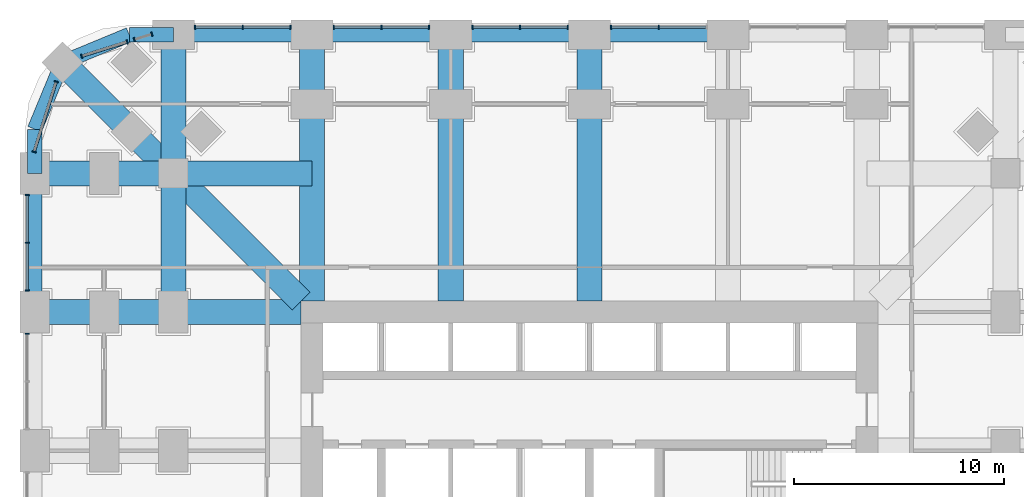
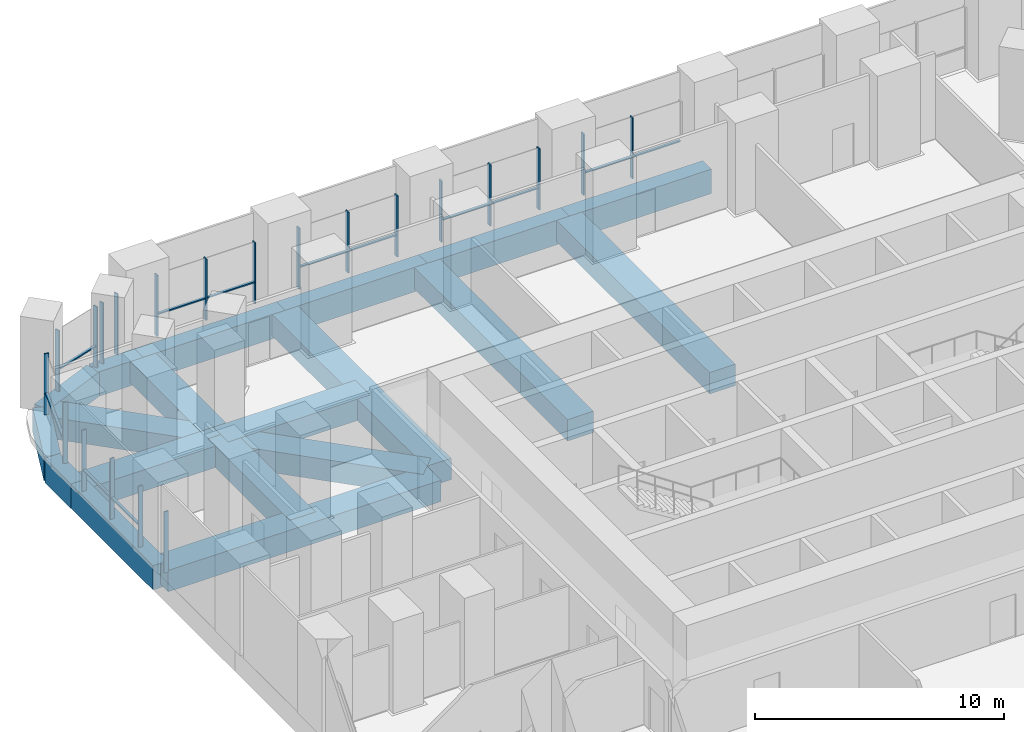
# One storey, part 5 of 17: 33 members, 19 beams, 9 elements without a shape of their own.
"""IFC4 building model written with IfcOpenShell, lengths in metres."""

from ifc_helpers import new_model, si_unit, direction, frame, origin, origin_2d, place, context, subcontext, project, spatial, rectangle, extrude, material, material_profile, profile_set, type_object, element, aggregate, save


model = new_model("IFC4")

# Units and contexts
model_context = context("Model", 3, precision=1e-05, world=origin(), true_north=direction((0.0, 1.0)))
body_context = subcontext(model_context, "Body", "Model", "MODEL_VIEW")
ifc_project = project(units=[si_unit("LENGTHUNIT", "METRE"), si_unit("AREAUNIT", "SQUARE_METRE"), si_unit("VOLUMEUNIT", "CUBIC_METRE"), si_unit("PLANEANGLEUNIT", "RADIAN"), si_unit("MASSUNIT", "GRAM", prefix="KILO")], contexts=[model_context])

# Site, building, storey
site_placement = place(None, origin())
site = spatial("IfcSite", under=ifc_project, at=site_placement, CompositionType="ELEMENT")
building_placement = place(site_placement, origin())
building = spatial("IfcBuilding", under=site, at=building_placement, Name="Cobogo Forest Laboratory Tower", CompositionType="ELEMENT")
storey_placement = place(building_placement, frame((0.0, 0.0, 12.60009765625)))
storey = spatial("IfcBuildingStorey", under=building, at=storey_placement, Name="L02", CompositionType="ELEMENT", Elevation=12.60009765625)

# Beams
ifc_material_1 = material(Name="Concrete HA-40 (C40/50)", Category="concrete")
ifc_material_profile_1 = material_profile(ifc_material_1, rectangle(XDim=1.199951171875, YDim=1.050048828125, at=origin_2d()), Name="RC 1200x1050")
ifc_profile_set_1 = profile_set([ifc_material_profile_1], Name="Concrete HA-40 (C40/50)")
beam_type_1 = type_object("IfcBeamType", Name="Laboratory floor wide beam 1200x1050", PredefinedType="BEAM", material=ifc_profile_set_1)
for number, where, z_axis, x_axis, name in (
    (1, (13.199951171875, 33.52490234375, -0.8251953125), (0.0, 1.0, 0.0), (-1.0, 0.0, 0.0), "RB1 R-3-N L02"),
    (2, (19.800048828125, 33.52490234375, -0.8251953125), (0.0, 1.0, 0.0), (-1.0, 0.0, 0.0), "RB1 R-4-N L02"),
    (3, (26.39990234375, 33.52490234375, -0.8251953125), (0.0, 1.0, 0.0), (-1.0, 0.0, 0.0), "RB1 R-5-N L02"),
    (4, (12.675048828125, 33.0, -0.8251953125), (-1.0, 0.0, 0.0), (0.0, -1.0, 0.0), "RB1 R-F-W L02"),
):
    element("IfcBeam", number, at=place(storey_placement, frame(where, z_axis=z_axis, x_axis=x_axis)), inside=storey, type_object=beam_type_1, Name=name, PredefinedType="BEAM", context=body_context, shape_type="SweptSolid", body=[
        extrude(rectangle(XDim=1.199951171875, YDim=1.050048828125, at=origin_2d()), origin(), (0.0, 0.0, 1.0), 12.675048828125),
    ])
beam_1_placement = place(storey_placement, frame((6.60009765625, 46.199951171875, -0.8251953125), z_axis=(0.0, -1.0, 0.0), x_axis=(1.0, 0.0, 0.0)))
element("IfcBeam", 5, at=beam_1_placement, inside=storey, type_object=beam_type_1, Name="RB1 G-NW-XF L02", PredefinedType="BEAM", context=body_context, shape_type="SweptSolid", body=[
    extrude(rectangle(XDim=1.199951171875, YDim=1.050048828125, at=origin_2d()), origin(), (0.0, 0.0, 1.0), 6.599853515625),
])
for number, where, z_axis, x_axis, name in (
    (6, (6.60009765625, 39.60009765625, -0.8251953125), (0.0, -1.0, 0.0), (1.0, 0.0, 0.0), "RB1 G-NW-XC L02"),
    (7, (0.0, 39.60009765625, -0.8251953125), (1.0, 0.0, 0.0), (0.0, 1.0, 0.0), "RB1 G-NW-YF L02"),
):
    element("IfcBeam", number, at=place(storey_placement, frame(where, z_axis=z_axis, x_axis=x_axis)), inside=storey, type_object=beam_type_1, Name=name, PredefinedType="BEAM", context=body_context, shape_type="SweptSolid", body=[
        extrude(rectangle(XDim=1.199951171875, YDim=1.050048828125, at=origin_2d()), origin(), (0.0, 0.0, 1.0), 6.60009765625),
    ])
beam_2_placement = place(storey_placement, frame((6.60009765625, 39.60009765625, -0.8251953125), z_axis=(1.0, 0.0, 0.0), x_axis=(0.0, 1.0, 0.0)))
element("IfcBeam", 8, at=beam_2_placement, inside=storey, type_object=beam_type_1, Name="RB1 G-NW-YC L02", PredefinedType="BEAM", context=body_context, shape_type="SweptSolid", body=[
    extrude(rectangle(XDim=1.199951171875, YDim=1.050048828125, at=origin_2d()), origin(), (0.0, 0.0, 1.0), 6.599853515625),
])
beam_3_placement = place(storey_placement, frame((1.318115234375, 44.882080078125, -0.8251953125), z_axis=(0.707106781187, -0.707106781187, 0.0), x_axis=(0.707106781187, 0.707106781187, 0.0)))
element("IfcBeam", 9, at=beam_3_placement, inside=storey, type_object=beam_type_1, Name="RB1 G-NW-D1 L02", PredefinedType="BEAM", context=body_context, shape_type="SweptSolid", body=[
    extrude(rectangle(XDim=1.199951171875, YDim=1.050048828125, at=origin_2d()), origin(), (0.0, 0.0, 1.0), 7.469970703125),
])
beam_4_placement = place(storey_placement, frame((6.60009765625, 39.60009765625, -0.8251953125), z_axis=(0.707092572697, -0.70712098939, 0.0), x_axis=(0.70712098939, 0.707092572697, 0.0)))
element("IfcBeam", 10, at=beam_4_placement, inside=storey, type_object=beam_type_1, Name="RB1 G-NW-D2 L02", PredefinedType="BEAM", context=body_context, shape_type="SweptSolid", body=[
    extrude(rectangle(XDim=1.199951171875, YDim=1.050048828125, at=origin_2d()), origin(), (0.0, 0.0, 1.0), 8.591552734375),
])

# Curtain wall, members
ifc_material_2 = material(Name="Aluminium curtain wall", Category="aluminium")
curtain_wall_type = type_object("IfcCurtainWallType", Name="CW-K stick curtain wall, podium laboratories", PredefinedType="USERDEFINED", material=ifc_material_2)
curtain_wall_1_placement = place(storey_placement, origin())
curtain_wall_1 = element("IfcCurtainWall", 11, at=curtain_wall_1_placement, inside=storey, type_object=curtain_wall_type, Name="Curtain wall 20 L02", ObjectType="STICK CURTAIN WALL", PredefinedType="USERDEFINED")
ifc_material_3 = material(Name="Aluminium mullion", Category="aluminium")
ifc_material_profile_2 = material_profile(ifc_material_3, rectangle(XDim=0.06005859375, YDim=0.199951171875, at=origin_2d()), Name="AL 60x200")
ifc_profile_set_2 = profile_set([ifc_material_profile_2], Name="Aluminium mullion")
member_type_1 = type_object("IfcMemberType", Name="MU-2 aluminium mullion 60x200", PredefinedType="MULLION", material=ifc_profile_set_2)
member_1_placement = place(storey_placement, frame((29.699951171875, 46.550048828125, 0.0), z_axis=(0.0, 0.0, 1.0), x_axis=(-1.0, 0.0, 0.0)))
member_1 = element("IfcMember", 12, at=member_1_placement, type_object=member_type_1, Name="CW-K mullion 2", PredefinedType="MULLION", context=body_context, shape_type="SweptSolid", body=[
    extrude(rectangle(XDim=0.06005859375, YDim=0.199951171875, at=origin_2d()), origin(), (0.0, 0.0, 1.0), 3.0),
])
member_2_placement = place(storey_placement, frame((27.429931640625, 46.550048828125, 0.0), z_axis=(0.0, 0.0, 1.0), x_axis=(-1.0, 0.0, 0.0)))
member_2 = element("IfcMember", 13, at=member_2_placement, type_object=member_type_1, Name="CW-K mullion 3", PredefinedType="MULLION", context=body_context, shape_type="SweptSolid", body=[
    extrude(rectangle(XDim=0.06005859375, YDim=0.199951171875, at=origin_2d()), origin(), (0.0, 0.0, 1.0), 3.0),
])

curtain_wall_2_placement = place(storey_placement, origin())
curtain_wall_2 = element("IfcCurtainWall", 14, at=curtain_wall_2_placement, inside=storey, type_object=curtain_wall_type, Name="Curtain wall 21 L02", ObjectType="STICK CURTAIN WALL", PredefinedType="USERDEFINED")
member_3_placement = place(storey_placement, frame((25.3701171875, 46.550048828125, 0.0), z_axis=(0.0, 0.0, 1.0), x_axis=(-1.0, 0.0, 0.0)))
member_3 = element("IfcMember", 15, at=member_3_placement, type_object=member_type_1, Name="CW-K mullion 1", PredefinedType="MULLION", context=body_context, shape_type="SweptSolid", body=[
    extrude(rectangle(XDim=0.06005859375, YDim=0.199951171875, at=origin_2d()), origin(), (0.0, 0.0, 1.0), 3.0),
])
member_4_placement = place(storey_placement, frame((23.10009765625, 46.550048828125, 0.0), z_axis=(0.0, 0.0, 1.0), x_axis=(-1.0, 0.0, 0.0)))
member_4 = element("IfcMember", 16, at=member_4_placement, type_object=member_type_1, Name="CW-K mullion 2", PredefinedType="MULLION", context=body_context, shape_type="SweptSolid", body=[
    extrude(rectangle(XDim=0.06005859375, YDim=0.199951171875, at=origin_2d()), origin(), (0.0, 0.0, 1.0), 3.0),
])
member_5_placement = place(storey_placement, frame((20.830078125, 46.550048828125, 0.0), z_axis=(0.0, 0.0, 1.0), x_axis=(-1.0, 0.0, 0.0)))
member_5 = element("IfcMember", 17, at=member_5_placement, type_object=member_type_1, Name="CW-K mullion 3", PredefinedType="MULLION", context=body_context, shape_type="SweptSolid", body=[
    extrude(rectangle(XDim=0.06005859375, YDim=0.199951171875, at=origin_2d()), origin(), (0.0, 0.0, 1.0), 3.0),
])

curtain_wall_3_placement = place(storey_placement, origin())
curtain_wall_3 = element("IfcCurtainWall", 18, at=curtain_wall_3_placement, inside=storey, type_object=curtain_wall_type, Name="Curtain wall 22 L02", ObjectType="STICK CURTAIN WALL", PredefinedType="USERDEFINED")
member_6_placement = place(storey_placement, frame((18.77001953125, 46.550048828125, 0.0), z_axis=(0.0, 0.0, 1.0), x_axis=(-1.0, 0.0, 0.0)))
member_6 = element("IfcMember", 19, at=member_6_placement, type_object=member_type_1, Name="CW-K mullion 1", PredefinedType="MULLION", context=body_context, shape_type="SweptSolid", body=[
    extrude(rectangle(XDim=0.06005859375, YDim=0.199951171875, at=origin_2d()), origin(), (0.0, 0.0, 1.0), 3.0),
])
member_7_placement = place(storey_placement, frame((16.5, 46.550048828125, 0.0), z_axis=(0.0, 0.0, 1.0), x_axis=(-1.0, 0.0, 0.0)))
member_7 = element("IfcMember", 20, at=member_7_placement, type_object=member_type_1, Name="CW-K mullion 2", PredefinedType="MULLION", context=body_context, shape_type="SweptSolid", body=[
    extrude(rectangle(XDim=0.06005859375, YDim=0.199951171875, at=origin_2d()), origin(), (0.0, 0.0, 1.0), 3.0),
])
member_8_placement = place(storey_placement, frame((14.22998046875, 46.550048828125, 0.0), z_axis=(0.0, 0.0, 1.0), x_axis=(-1.0, 0.0, 0.0)))
member_8 = element("IfcMember", 21, at=member_8_placement, type_object=member_type_1, Name="CW-K mullion 3", PredefinedType="MULLION", context=body_context, shape_type="SweptSolid", body=[
    extrude(rectangle(XDim=0.06005859375, YDim=0.199951171875, at=origin_2d()), origin(), (0.0, 0.0, 1.0), 3.0),
])

curtain_wall_4_placement = place(storey_placement, origin())
curtain_wall_4 = element("IfcCurtainWall", 22, at=curtain_wall_4_placement, inside=storey, type_object=curtain_wall_type, Name="Curtain wall 23 L02", ObjectType="STICK CURTAIN WALL", PredefinedType="USERDEFINED")
member_9_placement = place(storey_placement, frame((12.169921875, 46.550048828125, 0.0), z_axis=(0.0, 0.0, 1.0), x_axis=(-1.0, 0.0, 0.0)))
member_9 = element("IfcMember", 23, at=member_9_placement, type_object=member_type_1, Name="CW-K mullion 1", PredefinedType="MULLION", context=body_context, shape_type="SweptSolid", body=[
    extrude(rectangle(XDim=0.06005859375, YDim=0.199951171875, at=origin_2d()), origin(), (0.0, 0.0, 1.0), 3.0),
])
member_10_placement = place(storey_placement, frame((9.89990234375, 46.550048828125, 0.0), z_axis=(0.0, 0.0, 1.0), x_axis=(-1.0, 0.0, 0.0)))
member_10 = element("IfcMember", 24, at=member_10_placement, type_object=member_type_1, Name="CW-K mullion 2", PredefinedType="MULLION", context=body_context, shape_type="SweptSolid", body=[
    extrude(rectangle(XDim=0.06005859375, YDim=0.199951171875, at=origin_2d()), origin(), (0.0, 0.0, 1.0), 3.0),
])
member_11_placement = place(storey_placement, frame((7.6298828125, 46.550048828125, 0.0), z_axis=(0.0, 0.0, 1.0), x_axis=(-1.0, 0.0, 0.0)))
member_11 = element("IfcMember", 25, at=member_11_placement, type_object=member_type_1, Name="CW-K mullion 3", PredefinedType="MULLION", context=body_context, shape_type="SweptSolid", body=[
    extrude(rectangle(XDim=0.06005859375, YDim=0.199951171875, at=origin_2d()), origin(), (0.0, 0.0, 1.0), 3.0),
])

curtain_wall_5_placement = place(storey_placement, origin())
curtain_wall_5 = element("IfcCurtainWall", 26, at=curtain_wall_5_placement, inside=storey, type_object=curtain_wall_type, Name="Curtain wall 24 L02", ObjectType="STICK CURTAIN WALL", PredefinedType="USERDEFINED")
member_12_placement = place(storey_placement, frame((5.5712890625, 46.22509765625, 0.0), z_axis=(0.0, 0.0, 1.0), x_axis=(-0.953581406818, -0.301135352577, 0.0)))
member_12 = element("IfcMember", 27, at=member_12_placement, type_object=member_type_1, Name="CW-K mullion 1", PredefinedType="MULLION", context=body_context, shape_type="SweptSolid", body=[
    extrude(rectangle(XDim=0.06005859375, YDim=0.199951171875, at=origin_2d()), origin(), (0.0, 0.0, 1.0), 3.0),
])
member_13_placement = place(storey_placement, frame((4.74658203125, 45.96484375, 0.0), z_axis=(0.0, 0.0, 1.0), x_axis=(-0.953581406818, -0.301135352577, 0.0)))
member_13 = element("IfcMember", 28, at=member_13_placement, type_object=member_type_1, Name="CW-K mullion 2", PredefinedType="MULLION", context=body_context, shape_type="SweptSolid", body=[
    extrude(rectangle(XDim=0.06005859375, YDim=0.199951171875, at=origin_2d()), origin(), (0.0, 0.0, 1.0), 3.0),
])
aggregate(curtain_wall_5, [member_12, member_13])

curtain_wall_6_placement = place(storey_placement, origin())
curtain_wall_6 = element("IfcCurtainWall", 29, at=curtain_wall_6_placement, inside=storey, type_object=curtain_wall_type, Name="Curtain wall 25 L02", ObjectType="STICK CURTAIN WALL", PredefinedType="USERDEFINED")
member_14_placement = place(storey_placement, frame((4.39697265625, 45.854248046875, 0.0), z_axis=(0.0, 0.0, 1.0), x_axis=(-0.953581409645, -0.301135343623, 0.0)))
member_14 = element("IfcMember", 30, at=member_14_placement, type_object=member_type_1, Name="CW-K mullion 1", PredefinedType="MULLION", context=body_context, shape_type="SweptSolid", body=[
    extrude(rectangle(XDim=0.06005859375, YDim=0.199951171875, at=origin_2d()), origin(), (0.0, 0.0, 1.0), 3.0),
])
member_15_placement = place(storey_placement, frame((2.23876953125, 45.1728515625, 0.0), z_axis=(0.0, 0.0, 1.0), x_axis=(-0.953581409645, -0.301135343623, 0.0)))
member_15 = element("IfcMember", 31, at=member_15_placement, type_object=member_type_1, Name="CW-K mullion 2", PredefinedType="MULLION", context=body_context, shape_type="SweptSolid", body=[
    extrude(rectangle(XDim=0.06005859375, YDim=0.199951171875, at=origin_2d()), origin(), (0.0, 0.0, 1.0), 3.0),
])

curtain_wall_7_placement = place(storey_placement, origin())
curtain_wall_7 = element("IfcCurtainWall", 32, at=curtain_wall_7_placement, inside=storey, type_object=curtain_wall_type, Name="Curtain wall 26 L02", ObjectType="STICK CURTAIN WALL", PredefinedType="USERDEFINED")
member_16_placement = place(storey_placement, frame((1.02734375, 43.961181640625, 0.0), z_axis=(0.0, 0.0, 1.0), x_axis=(-0.301135433696, -0.953581381201, 0.0)))
member_16 = element("IfcMember", 33, at=member_16_placement, type_object=member_type_1, Name="CW-K mullion 1", PredefinedType="MULLION", context=body_context, shape_type="SweptSolid", body=[
    extrude(rectangle(XDim=0.06005859375, YDim=0.199951171875, at=origin_2d()), origin(), (0.0, 0.0, 1.0), 3.0),
])
member_17_placement = place(storey_placement, frame((-0.025146484375, 40.628662109375, 0.0), z_axis=(0.0, 0.0, 1.0), x_axis=(-0.301135433696, -0.953581381201, 0.0)))
member_17 = element("IfcMember", 34, at=member_17_placement, type_object=member_type_1, Name="CW-K mullion 2", PredefinedType="MULLION", context=body_context, shape_type="SweptSolid", body=[
    extrude(rectangle(XDim=0.06005859375, YDim=0.199951171875, at=origin_2d()), origin(), (0.0, 0.0, 1.0), 3.0),
])

curtain_wall_8_placement = place(storey_placement, origin())
curtain_wall_8 = element("IfcCurtainWall", 35, at=curtain_wall_8_placement, inside=storey, type_object=curtain_wall_type, Name="Curtain wall 27 L02", ObjectType="STICK CURTAIN WALL", PredefinedType="USERDEFINED")
member_18_placement = place(storey_placement, frame((-0.35009765625, 38.570068359375, 0.0), z_axis=(0.0, 0.0, 1.0), x_axis=(0.0, -1.0, 0.0)))
member_18 = element("IfcMember", 36, at=member_18_placement, type_object=member_type_1, Name="CW-K mullion 1", PredefinedType="MULLION", context=body_context, shape_type="SweptSolid", body=[
    extrude(rectangle(XDim=0.06005859375, YDim=0.199951171875, at=origin_2d()), origin(), (0.0, 0.0, 1.0), 3.0),
])
member_19_placement = place(storey_placement, frame((-0.35009765625, 36.300048828125, 0.0), z_axis=(0.0, 0.0, 1.0), x_axis=(0.0, -1.0, 0.0)))
member_19 = element("IfcMember", 37, at=member_19_placement, type_object=member_type_1, Name="CW-K mullion 2", PredefinedType="MULLION", context=body_context, shape_type="SweptSolid", body=[
    extrude(rectangle(XDim=0.06005859375, YDim=0.199951171875, at=origin_2d()), origin(), (0.0, 0.0, 1.0), 3.0),
])
member_20_placement = place(storey_placement, frame((-0.35009765625, 34.030029296875, 0.0), z_axis=(0.0, 0.0, 1.0), x_axis=(0.0, -1.0, 0.0)))
member_20 = element("IfcMember", 38, at=member_20_placement, type_object=member_type_1, Name="CW-K mullion 3", PredefinedType="MULLION", context=body_context, shape_type="SweptSolid", body=[
    extrude(rectangle(XDim=0.06005859375, YDim=0.199951171875, at=origin_2d()), origin(), (0.0, 0.0, 1.0), 3.0),
])

# Curtain wall, member
curtain_wall_9_placement = place(storey_placement, origin())
curtain_wall_9 = element("IfcCurtainWall", 39, at=curtain_wall_9_placement, inside=storey, type_object=curtain_wall_type, Name="Curtain wall 28 L02", ObjectType="STICK CURTAIN WALL", PredefinedType="USERDEFINED")
member_21_placement = place(storey_placement, frame((-0.35009765625, 31.969970703125, 0.0), z_axis=(0.0, 0.0, 1.0), x_axis=(0.0, -1.0, 0.0)))
member_21 = element("IfcMember", 40, at=member_21_placement, type_object=member_type_1, Name="CW-K mullion 1", PredefinedType="MULLION", context=body_context, shape_type="SweptSolid", body=[
    extrude(rectangle(XDim=0.06005859375, YDim=0.199951171875, at=origin_2d()), origin(), (0.0, 0.0, 1.0), 3.0),
])
aggregate(curtain_wall_9, [member_21])

# Beams
ifc_material_profile_3 = material_profile(ifc_material_1, rectangle(XDim=0.699951171875, YDim=1.199951171875, at=origin_2d()), Name="RC 700x1200")
ifc_profile_set_3 = profile_set([ifc_material_profile_3], Name="Concrete HA-40 (C40/50)")
beam_type_2 = type_object("IfcBeamType", Name="Perimeter edge beam 700x1200", PredefinedType="BEAM", material=ifc_profile_set_3)
beam_5_placement = place(storey_placement, frame((6.60009765625, 46.199951171875, -0.900146484375), z_axis=(1.0, 0.0, 0.0), x_axis=(0.0, 1.0, 0.0)))
element("IfcBeam", 41, at=beam_5_placement, inside=storey, type_object=beam_type_2, Name="EB1 E-N1 L02", PredefinedType="BEAM", context=body_context, shape_type="SweptSolid", body=[
    extrude(rectangle(XDim=0.699951171875, YDim=1.199951171875, at=origin_2d()), origin(), (0.0, 0.0, 1.0), 6.599853515625),
])
beam_6_placement = place(storey_placement, frame((13.199951171875, 46.199951171875, -0.900146484375), z_axis=(1.0, 0.0, 0.0), x_axis=(0.0, 1.0, 0.0)))
element("IfcBeam", 42, at=beam_6_placement, inside=storey, type_object=beam_type_2, Name="EB1 E-N2 L02", PredefinedType="BEAM", context=body_context, shape_type="SweptSolid", body=[
    extrude(rectangle(XDim=0.699951171875, YDim=1.199951171875, at=origin_2d()), origin(), (0.0, 0.0, 1.0), 6.60009765625),
])
beam_7_placement = place(storey_placement, frame((19.800048828125, 46.199951171875, -0.900146484375), z_axis=(1.0, 0.0, 0.0), x_axis=(0.0, 1.0, 0.0)))
element("IfcBeam", 43, at=beam_7_placement, inside=storey, type_object=beam_type_2, Name="EB1 E-N3 L02", PredefinedType="BEAM", context=body_context, shape_type="SweptSolid", body=[
    extrude(rectangle(XDim=0.699951171875, YDim=1.199951171875, at=origin_2d()), origin(), (0.0, 0.0, 1.0), 6.599853515625),
])
for number, where, z_axis, x_axis, name in (
    (44, (26.39990234375, 46.199951171875, -0.900146484375), (1.0, 0.0, 0.0), (0.0, 1.0, 0.0), "EB1 E-N4 L02"),
    (45, (0.0, 33.0, -0.900146484375), (0.0, 1.0, 0.0), (-1.0, 0.0, 0.0), "EB1 E-W5 L02"),
):
    element("IfcBeam", number, at=place(storey_placement, frame(where, z_axis=z_axis, x_axis=x_axis)), inside=storey, type_object=beam_type_2, Name=name, PredefinedType="BEAM", context=body_context, shape_type="SweptSolid", body=[
        extrude(rectangle(XDim=0.699951171875, YDim=1.199951171875, at=origin_2d()), origin(), (0.0, 0.0, 1.0), 6.60009765625),
    ])
beam_8_placement = place(storey_placement, frame((6.60009765625, 46.199951171875, -0.900146484375), z_axis=(-1.0, 0.0, 0.0), x_axis=(0.0, -1.0, 0.0)))
element("IfcBeam", 46, at=beam_8_placement, inside=storey, type_object=beam_type_2, Name="EB1 E-NWN1 L02", PredefinedType="BEAM", context=body_context, shape_type="SweptSolid", body=[
    extrude(rectangle(XDim=0.699951171875, YDim=1.199951171875, at=origin_2d()), origin(), (0.0, 0.0, 1.0), 2.10009765625),
])
beam_9_placement = place(storey_placement, frame((4.5, 46.199951171875, -0.900146484375), z_axis=(-0.923890694089, -0.382656484822, 0.0), x_axis=(0.382656484822, -0.923890694089, 0.0)))
element("IfcBeam", 47, at=beam_9_placement, inside=storey, type_object=beam_type_2, Name="EB1 E-NWN2 L02", PredefinedType="BEAM", context=body_context, shape_type="SweptSolid", body=[
    extrude(rectangle(XDim=0.699951171875, YDim=1.199951171875, at=origin_2d()), origin(), (0.0, 0.0, 1.0), 3.444091796875),
])
beam_10_placement = place(storey_placement, frame((0.0, 39.60009765625, -0.900146484375), z_axis=(0.0, 1.0, 0.0), x_axis=(-1.0, 0.0, 0.0)))
element("IfcBeam", 48, at=beam_10_placement, inside=storey, type_object=beam_type_2, Name="EB1 E-NWW1 L02", PredefinedType="BEAM", context=body_context, shape_type="SweptSolid", body=[
    extrude(rectangle(XDim=0.699951171875, YDim=1.199951171875, at=origin_2d()), origin(), (0.0, 0.0, 1.0), 2.099853515625),
])
beam_11_placement = place(storey_placement, frame((0.0, 41.699951171875, -0.900146484375), z_axis=(0.382691928466, 0.923876013265, 0.0), x_axis=(-0.923876013265, 0.382691928466, 0.0)))
element("IfcBeam", 49, at=beam_11_placement, inside=storey, type_object=beam_type_2, Name="EB1 E-NWW2 L02", PredefinedType="BEAM", context=body_context, shape_type="SweptSolid", body=[
    extrude(rectangle(XDim=0.699951171875, YDim=1.199951171875, at=origin_2d()), origin(), (0.0, 0.0, 1.0), 3.4443359375),
])

# Member
ifc_material_4 = material(Name="Aluminium transom", Category="aluminium")
ifc_material_profile_4 = material_profile(ifc_material_4, rectangle(XDim=0.1201171875, YDim=0.06005859375, at=origin_2d()), Name="AL 60x120")
ifc_profile_set_4 = profile_set([ifc_material_profile_4], Name="Aluminium transom")
member_type_2 = type_object("IfcMemberType", Name="TR-1 aluminium transom 60x120", PredefinedType="USERDEFINED", material=ifc_profile_set_4)
member_22_placement = place(storey_placement, frame((31.93994140625, 46.550048828125, 1.0498046875), z_axis=(-1.0, 0.0, 0.0), x_axis=(0.0, -1.0, 0.0)))
member_22 = element("IfcMember", 50, at=member_22_placement, type_object=member_type_2, Name="CW-K transom 1.1", ObjectType="TRANSOM", PredefinedType="USERDEFINED", context=body_context, shape_type="SweptSolid", body=[
    extrude(rectangle(XDim=0.1201171875, YDim=0.06005859375, at=origin_2d()), origin(), (0.0, 0.0, 1.0), 2.2099609375),
])

member_23_placement = place(storey_placement, frame((29.669921875, 46.550048828125, 1.0498046875), z_axis=(-1.0, 0.0, 0.0), x_axis=(0.0, -1.0, 0.0)))
member_23 = element("IfcMember", 51, at=member_23_placement, type_object=member_type_2, Name="CW-K transom 2.1", ObjectType="TRANSOM", PredefinedType="USERDEFINED", context=body_context, shape_type="SweptSolid", body=[
    extrude(rectangle(XDim=0.1201171875, YDim=0.06005859375, at=origin_2d()), origin(), (0.0, 0.0, 1.0), 2.2099609375),
])

aggregate(curtain_wall_1, [member_1, member_2, member_22, member_23])

member_24_placement = place(storey_placement, frame((25.340087890625, 46.550048828125, 1.0498046875), z_axis=(-1.0, 0.0, 0.0), x_axis=(0.0, -1.0, 0.0)))
member_24 = element("IfcMember", 52, at=member_24_placement, type_object=member_type_2, Name="CW-K transom 1.1", ObjectType="TRANSOM", PredefinedType="USERDEFINED", context=body_context, shape_type="SweptSolid", body=[
    extrude(rectangle(XDim=0.1201171875, YDim=0.06005859375, at=origin_2d()), origin(), (0.0, 0.0, 1.0), 2.210205078125),
])

member_25_placement = place(storey_placement, frame((23.070068359375, 46.550048828125, 1.0498046875), z_axis=(-1.0, 0.0, 0.0), x_axis=(0.0, -1.0, 0.0)))
member_25 = element("IfcMember", 53, at=member_25_placement, type_object=member_type_2, Name="CW-K transom 2.1", ObjectType="TRANSOM", PredefinedType="USERDEFINED", context=body_context, shape_type="SweptSolid", body=[
    extrude(rectangle(XDim=0.1201171875, YDim=0.06005859375, at=origin_2d()), origin(), (0.0, 0.0, 1.0), 2.2099609375),
])

aggregate(curtain_wall_2, [member_3, member_4, member_5, member_24, member_25])

member_26_placement = place(storey_placement, frame((18.739990234375, 46.550048828125, 1.0498046875), z_axis=(-1.0, 0.0, 0.0), x_axis=(0.0, -1.0, 0.0)))
member_26 = element("IfcMember", 54, at=member_26_placement, type_object=member_type_2, Name="CW-K transom 1.1", ObjectType="TRANSOM", PredefinedType="USERDEFINED", context=body_context, shape_type="SweptSolid", body=[
    extrude(rectangle(XDim=0.1201171875, YDim=0.06005859375, at=origin_2d()), origin(), (0.0, 0.0, 1.0), 2.2099609375),
])

member_27_placement = place(storey_placement, frame((16.469970703125, 46.550048828125, 1.0498046875), z_axis=(-1.0, 0.0, 0.0), x_axis=(0.0, -1.0, 0.0)))
member_27 = element("IfcMember", 55, at=member_27_placement, type_object=member_type_2, Name="CW-K transom 2.1", ObjectType="TRANSOM", PredefinedType="USERDEFINED", context=body_context, shape_type="SweptSolid", body=[
    extrude(rectangle(XDim=0.1201171875, YDim=0.06005859375, at=origin_2d()), origin(), (0.0, 0.0, 1.0), 2.2099609375),
])

aggregate(curtain_wall_3, [member_6, member_7, member_8, member_26, member_27])

member_28_placement = place(storey_placement, frame((12.139892578125, 46.550048828125, 1.0498046875), z_axis=(-1.0, 0.0, 0.0), x_axis=(0.0, -1.0, 0.0)))
member_28 = element("IfcMember", 56, at=member_28_placement, type_object=member_type_2, Name="CW-K transom 1.1", ObjectType="TRANSOM", PredefinedType="USERDEFINED", context=body_context, shape_type="SweptSolid", body=[
    extrude(rectangle(XDim=0.1201171875, YDim=0.06005859375, at=origin_2d()), origin(), (0.0, 0.0, 1.0), 2.2099609375),
])

member_29_placement = place(storey_placement, frame((9.8701171875, 46.550048828125, 1.0498046875), z_axis=(-1.0, 0.0, 0.0), x_axis=(0.0, -1.0, 0.0)))
member_29 = element("IfcMember", 57, at=member_29_placement, type_object=member_type_2, Name="CW-K transom 2.1", ObjectType="TRANSOM", PredefinedType="USERDEFINED", context=body_context, shape_type="SweptSolid", body=[
    extrude(rectangle(XDim=0.1201171875, YDim=0.06005859375, at=origin_2d()), origin(), (0.0, 0.0, 1.0), 2.210205078125),
])

aggregate(curtain_wall_4, [member_9, member_10, member_11, member_28, member_29])

member_30_placement = place(storey_placement, frame((4.368408203125, 45.84521484375, 1.0498046875), z_axis=(-0.953604433273, -0.301062426819, 0.0), x_axis=(0.301062426819, -0.953604433273, 0.0)))
member_30 = element("IfcMember", 58, at=member_30_placement, type_object=member_type_2, Name="CW-K transom 1.1", ObjectType="TRANSOM", PredefinedType="USERDEFINED", context=body_context, shape_type="SweptSolid", body=[
    extrude(rectangle(XDim=0.1201171875, YDim=0.06005859375, at=origin_2d()), origin(), (0.0, 0.0, 1.0), 2.203369140625),
])

aggregate(curtain_wall_6, [member_14, member_15, member_30])

member_31_placement = place(storey_placement, frame((1.018310546875, 43.9326171875, 1.0498046875), z_axis=(-0.301155179686, -0.953575145308, 0.0), x_axis=(0.953575145308, -0.301155179686, 0.0)))
member_31 = element("IfcMember", 59, at=member_31_placement, type_object=member_type_2, Name="CW-K transom 1.1", ObjectType="TRANSOM", PredefinedType="USERDEFINED", context=body_context, shape_type="SweptSolid", body=[
    extrude(rectangle(XDim=0.1201171875, YDim=0.06005859375, at=origin_2d()), origin(), (0.0, 0.0, 1.0), 3.434814453125),
])

aggregate(curtain_wall_7, [member_16, member_17, member_31])

member_32_placement = place(storey_placement, frame((-0.35009765625, 38.5400390625, 1.0498046875), z_axis=(0.0, -1.0, 0.0), x_axis=(1.0, 0.0, 0.0)))
member_32 = element("IfcMember", 60, at=member_32_placement, type_object=member_type_2, Name="CW-K transom 1.1", ObjectType="TRANSOM", PredefinedType="USERDEFINED", context=body_context, shape_type="SweptSolid", body=[
    extrude(rectangle(XDim=0.1201171875, YDim=0.06005859375, at=origin_2d()), origin(), (0.0, 0.0, 1.0), 2.2099609375),
])

member_33_placement = place(storey_placement, frame((-0.35009765625, 36.27001953125, 1.0498046875), z_axis=(0.0, -1.0, 0.0), x_axis=(1.0, 0.0, 0.0)))
member_33 = element("IfcMember", 61, at=member_33_placement, type_object=member_type_2, Name="CW-K transom 2.1", ObjectType="TRANSOM", PredefinedType="USERDEFINED", context=body_context, shape_type="SweptSolid", body=[
    extrude(rectangle(XDim=0.1201171875, YDim=0.06005859375, at=origin_2d()), origin(), (0.0, 0.0, 1.0), 2.2099609375),
])

aggregate(curtain_wall_8, [member_18, member_19, member_20, member_32, member_33])

save(model, "model.ifc")
